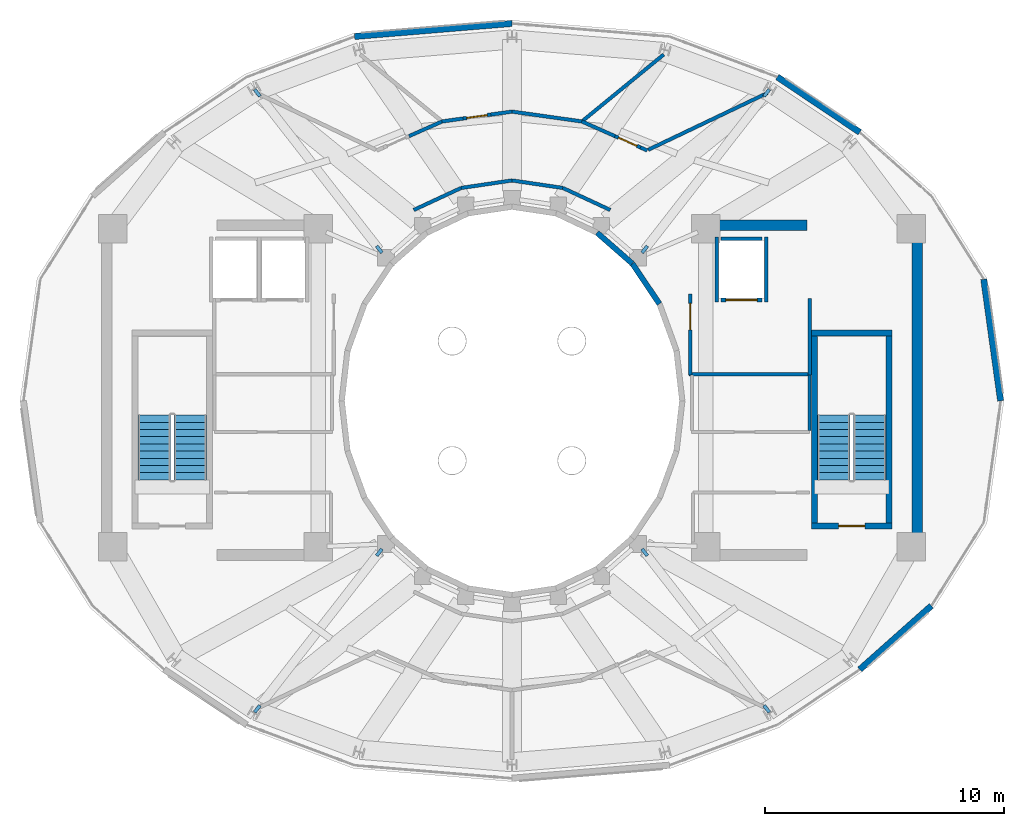
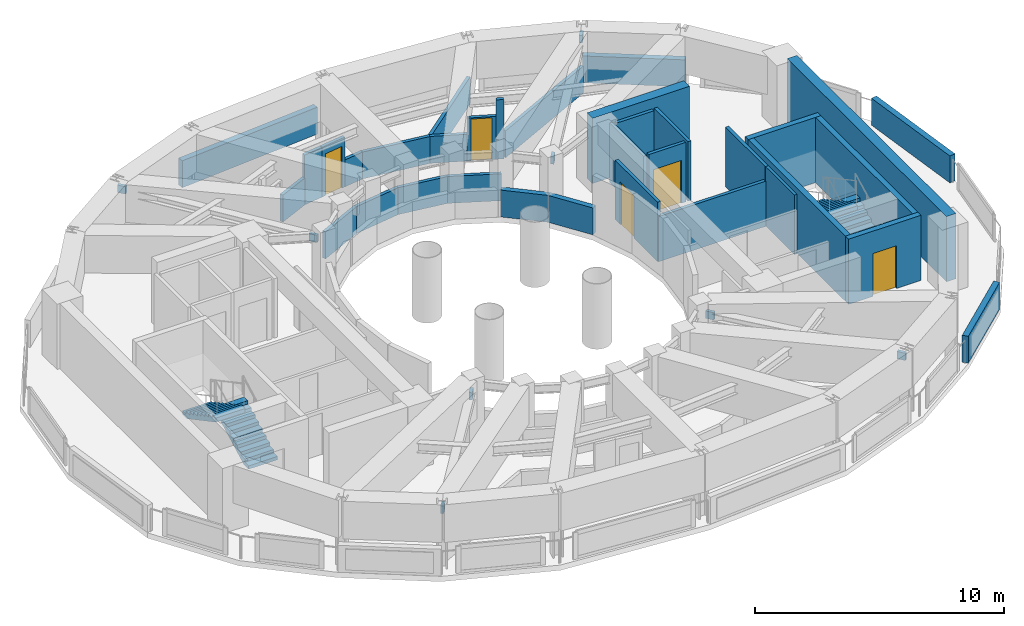
# One storey, part 14 of 17: 34 walls, 8 discrete accessories, 5 doors, 4 stair flights, 5 openings, 2 elements without a shape of their own.
"""IFC4 building model written with IfcOpenShell, lengths in metres."""

from ifc_helpers import new_model, si_unit, direction, frame, frame_2d, origin, origin_2d, place, context, subcontext, project, spatial, polyline, rectangle, outline, extrude, material, layer, layer_set, type_object, element, fill, aggregate, save


model = new_model("IFC4")

# Units and contexts
model_context = context("Model", 3, precision=1e-05, world=origin(), true_north=direction((0.0, 1.0)))
body_context = subcontext(model_context, "Body", "Model", "MODEL_VIEW")
ifc_project = project(units=[si_unit("LENGTHUNIT", "METRE"), si_unit("AREAUNIT", "SQUARE_METRE"), si_unit("VOLUMEUNIT", "CUBIC_METRE"), si_unit("PLANEANGLEUNIT", "RADIAN"), si_unit("MASSUNIT", "GRAM", prefix="KILO")], contexts=[model_context])

# Site, building, storey
site_placement = place(None, origin())
site = spatial("IfcSite", under=ifc_project, at=site_placement, CompositionType="ELEMENT")
building_placement = place(site_placement, origin())
building = spatial("IfcBuilding", under=site, at=building_placement, Name="Solvane Sanctuary Tower", CompositionType="ELEMENT")
storey_placement = place(building_placement, frame((0.0, 0.0, 270.0)))
storey = spatial("IfcBuildingStorey", under=building, at=storey_placement, Name="L82", CompositionType="ELEMENT", Elevation=270.0)

# Walls
ifc_material_1 = material(Name="Concrete C50/60", Category="concrete")
ifc_layer_1 = layer(ifc_material_1, 0.449951171875, Name="Concrete C50/60")
ifc_layer_set_1 = layer_set([ifc_layer_1], Name="Concrete C50/60")
wall_type_1 = type_object("IfcWallType", Name="Wall W-CORE-450", PredefinedType="SHEAR", material=ifc_layer_set_1)
wall_1_placement = place(storey_placement, frame((48.949951171875, 17.050048828125, 0.0), z_axis=(0.0, 0.0, 1.0), x_axis=(0.0, 1.0, 0.0)))
element("IfcWall", 1, at=wall_1_placement, inside=storey, type_object=wall_type_1, Name="L82 Core Shear Wall EC-E", PredefinedType="SHEAR", context=body_context, shape_type="SweptSolid", body=[
    extrude(rectangle(XDim=12.800048828125, YDim=0.449951171875, at=frame_2d((6.39990234375, 0.0))), origin(), (0.0, 0.0, 1.0), 3.199951171875),
])
wall_2_placement = place(storey_placement, frame((39.85009765625, 30.35009765625, 0.0), z_axis=(0.0, 0.0, 1.0), x_axis=(1.0, 0.0, 0.0)))
element("IfcWall", 2, at=wall_2_placement, inside=storey, type_object=wall_type_1, Name="L82 Core Shear Wall EC-N", PredefinedType="SHEAR", context=body_context, shape_type="SweptSolid", body=[
    extrude(rectangle(XDim=4.5, YDim=0.449951171875, at=frame_2d((2.25, 0.0))), origin(), (0.0, 0.0, 1.0), 3.199951171875),
])
ifc_material_2 = material(Name="Acoustic Gypsum Partition Board")
ifc_layer_2 = layer(ifc_material_2, 0.14990234375, Name="Acoustic Gypsum Partition Board")
ifc_layer_set_2 = layer_set([ifc_layer_2], Name="Acoustic Gypsum Partition Board")
wall_type_2 = type_object("IfcWallType", Name="Wall W-CORR-150", PredefinedType="PARTITIONING", material=ifc_layer_set_2)
wall_3_placement = place(storey_placement, frame((39.39990234375, 24.1201171875, 0.0), z_axis=(0.0, 0.0, 1.0), x_axis=(1.0, 0.0, 0.0)))
element("IfcWall", 3, at=wall_3_placement, inside=storey, type_object=wall_type_2, Name="L82 East Firefighting Lobby South Wall", PredefinedType="PARTITIONING", context=body_context, shape_type="SweptSolid", body=[
    extrude(rectangle(XDim=5.080078125, YDim=0.14990234375, at=frame_2d((2.5400390625, 0.0))), origin(), (0.0, 0.0, 1.0), 2.219970703125),
])
wall_4_placement = place(storey_placement, frame((44.449951171875, 24.080078125, 0.0), z_axis=(0.0, 0.0, 1.0), x_axis=(0.0, 1.0, 0.0)))
element("IfcWall", 4, at=wall_4_placement, inside=storey, type_object=wall_type_2, Name="L82 East Firefighting Lobby East Wall", PredefinedType="PARTITIONING", context=body_context, shape_type="SweptSolid", body=[
    extrude(rectangle(XDim=3.199951171875, YDim=0.14990234375, at=frame_2d((1.60009765625, 0.0))), origin(), (0.0, 0.0, 1.0), 2.9150390625),
])

# Wall, opening, door
wall_5_placement = place(storey_placement, frame((39.449951171875, 24.080078125, 0.0), z_axis=(0.0, 0.0, 1.0), x_axis=(0.0, 1.0, 0.0)))
wall_5 = element("IfcWall", 5, at=wall_5_placement, inside=storey, type_object=wall_type_2, Name="L82 East Firefighting Lobby West Wall", PredefinedType="PARTITIONING", context=body_context, shape_type="SweptSolid", body=[
    extrude(rectangle(XDim=3.39990234375, YDim=0.14990234375, at=frame_2d((1.699951171875, 0.0))), origin(), (0.0, 0.0, 1.0), 2.9150390625),
])
opening_1_placement = place(wall_5_placement, frame((1.893798828125, 0.0, 0.0)))
opening_1 = element("IfcOpeningElement", 6, at=opening_1_placement, cuts=wall_5, Name="Opening D-L82-04", PredefinedType="OPENING", context=body_context, shape_type="SweptSolid", body=[
    extrude(rectangle(XDim=1.10009765625, YDim=2.10009765625, at=frame_2d((0.550048828125, 1.050048828125))), frame((0.0, 0.0849609375, 0.0), z_axis=(0.0, -1.0, 0.0), x_axis=(1.0, 0.0, 0.0)), (0.0, 0.0, 1.0), 0.169921875),
])
ifc_material_3 = material(Name="Architectural Stainless Steel 316", Category="steel")
door_type_1 = type_object("IfcDoorType", Name="Door D-FFL", OperationType="NOTDEFINED", PredefinedType="DOOR", material=ifc_material_3)
door_1_placement = place(opening_1_placement, origin())
door_1 = element("IfcDoor", 7, at=door_1_placement, inside=storey, type_object=door_type_1, Name="L82 East Firefighting Lobby Fire Door", OperationType="SINGLE_SWING_LEFT", OverallHeight=2.10009765625, OverallWidth=1.10009765625, PredefinedType="DOOR", context=body_context, shape_type="SweptSolid", body=[
    extrude(rectangle(XDim=1.10009765625, YDim=2.10009765625, at=frame_2d((0.550048828125, 1.050048828125))), frame((0.0, 0.02490234375, 0.0), z_axis=(0.0, -1.0, 0.0), x_axis=(1.0, 0.0, 0.0)), (0.0, 0.0, 1.0), 0.050048828125),
])
fill(opening_1, door_1)

# Walls
wall_6_placement = place(storey_placement, frame((36.110107421875, 30.98486328125, 0.0), z_axis=(0.0, 0.0, 1.0), x_axis=(-0.906943449489, 0.421252393975, 0.0)))
element("IfcWall", 8, at=wall_6_placement, inside=storey, type_object=wall_type_2, Name="L82 Light-Well Corridor Rim Wall N1", PredefinedType="PARTITIONING", context=body_context, shape_type="SweptSolid", body=[
    extrude(rectangle(XDim=2.18603515625, YDim=0.14990234375, at=frame_2d((1.093017578125, 0.0))), origin(), (0.0, 0.0, 1.0), 1.320068359375),
])
for number, where, z_axis, x_axis, name in (
    (9, (34.12744140625, 31.90576171875, 0.0), (0.0, 0.0, 1.0), (-0.989268584896, 0.146108408166, 0.0), "L82 Light-Well Corridor Rim Wall N2"),
    (10, (32.0, 32.219970703125, 0.0), (0.0, 0.0, 1.0), (-0.989268584896, -0.146108408166, 0.0), "L82 Light-Well Corridor Rim Wall N3"),
):
    element("IfcWall", number, at=place(storey_placement, frame(where, z_axis=z_axis, x_axis=x_axis)), inside=storey, type_object=wall_type_2, Name=name, PredefinedType="PARTITIONING", context=body_context, shape_type="SweptSolid", body=[
        extrude(rectangle(XDim=2.150634765625, YDim=0.14990234375, at=frame_2d((1.0751953125, 0.0))), origin(), (0.0, 0.0, 1.0), 1.320068359375),
    ])
wall_7_placement = place(storey_placement, frame((29.87255859375, 31.90576171875, 0.0), z_axis=(0.0, 0.0, 1.0), x_axis=(-0.906943449489, -0.421252393975, 0.0)))
element("IfcWall", 11, at=wall_7_placement, inside=storey, type_object=wall_type_2, Name="L82 Light-Well Corridor Rim Wall N4", PredefinedType="PARTITIONING", context=body_context, shape_type="SweptSolid", body=[
    extrude(rectangle(XDim=2.18603515625, YDim=0.14990234375, at=frame_2d((1.093017578125, 0.0))), origin(), (0.0, 0.0, 1.0), 1.320068359375),
])
wall_8_placement = place(storey_placement, frame((37.69970703125, 33.502685546875, 0.0), z_axis=(0.0, 0.0, 1.0), x_axis=(0.902738701359, 0.430189303758, 0.0)))
element("IfcWall", 12, at=wall_8_placement, inside=storey, type_object=wall_type_2, Name="L82 Mechanical Plant Radial Wall 060", PredefinedType="PARTITIONING", context=body_context, shape_type="SweptSolid", body=[
    extrude(rectangle(XDim=5.521484375, YDim=0.14990234375, at=frame_2d((2.7607421875, 0.0))), origin(), (0.0, 0.0, 1.0), 1.320068359375),
])
wall_9_placement = place(storey_placement, frame((34.96728515625, 34.722412109375, 0.0), z_axis=(0.0, 0.0, 1.0), x_axis=(0.773855163252, 0.633362602549, 0.0)))
element("IfcWall", 13, at=wall_9_placement, inside=storey, type_object=wall_type_2, Name="L82 Mechanical Plant Radial Wall 075", PredefinedType="PARTITIONING", context=body_context, shape_type="SweptSolid", body=[
    extrude(rectangle(XDim=4.366943359375, YDim=0.14990234375, at=frame_2d((2.18359375, 0.0))), origin(), (0.0, 0.0, 1.0), 1.320068359375),
])
wall_10_placement = place(storey_placement, frame((37.65673828125, 33.474609375, 0.0), z_axis=(0.0, 0.0, 1.0), x_axis=(-0.914008261485, 0.405695572983, 0.0)))
element("IfcWall", 14, at=wall_10_placement, inside=storey, type_object=wall_type_2, Name="L82 Plant Corridor Wall 1", PredefinedType="PARTITIONING", context=body_context, shape_type="SweptSolid", body=[
    extrude(rectangle(XDim=0.306884765625, YDim=0.14990234375, at=frame_2d((0.1533203125, 0.0))), origin(), (0.0, 0.0, 1.0), 2.9150390625),
])

# Wall, opening, door
wall_11_placement = place(storey_placement, frame((37.376220703125, 33.59912109375, 0.0), z_axis=(0.0, 0.0, 1.0), x_axis=(-0.91409532601, 0.40549936494, 0.0)))
wall_11 = element("IfcWall", 15, at=wall_11_placement, inside=storey, type_object=wall_type_2, Name="L82 Plant Corridor Wall 1", PredefinedType="PARTITIONING", context=body_context, shape_type="SweptSolid", body=[
    extrude(rectangle(XDim=1.169921875, YDim=0.14990234375, at=frame_2d((0.5849609375, 0.0))), origin(), (0.0, 0.0, 1.0), 2.110107421875),
])
opening_2_placement = place(wall_11_placement, frame((0.159912109375, 0.0, 0.0)))
opening_2 = element("IfcOpeningElement", 16, at=opening_2_placement, cuts=wall_11, Name="Opening D-L82-09", PredefinedType="OPENING", context=body_context, shape_type="SweptSolid", body=[
    extrude(rectangle(XDim=0.85009765625, YDim=2.050048828125, at=frame_2d((0.425048828125, 1.02490234375))), frame((0.0, 0.0849609375, 0.0), z_axis=(0.0, -1.0, 0.0), x_axis=(1.0, 0.0, 0.0)), (0.0, 0.0, 1.0), 0.169921875),
])
door_type_2 = type_object("IfcDoorType", Name="Door D-RISER", OperationType="NOTDEFINED", PredefinedType="DOOR", material=ifc_material_3)
door_2_placement = place(opening_2_placement, origin())
door_2 = element("IfcDoor", 17, at=door_2_placement, inside=storey, type_object=door_type_2, Name="L82 Plant Room Door 1", OperationType="SINGLE_SWING_RIGHT", OverallHeight=2.050048828125, OverallWidth=0.85009765625, PredefinedType="DOOR", context=body_context, shape_type="SweptSolid", body=[
    extrude(rectangle(XDim=0.85009765625, YDim=2.050048828125, at=frame_2d((0.425048828125, 1.02490234375))), frame((0.0, 0.02490234375, 0.0), z_axis=(0.0, -1.0, 0.0), x_axis=(1.0, 0.0, 0.0)), (0.0, 0.0, 1.0), 0.050048828125),
])
fill(opening_2, door_2)

# Walls
wall_12_placement = place(storey_placement, frame((36.306884765625, 34.073486328125, 0.0), z_axis=(0.0, 0.0, 1.0), x_axis=(-0.914122487323, 0.405438131124, 0.0)))
element("IfcWall", 18, at=wall_12_placement, inside=storey, type_object=wall_type_2, Name="L82 Plant Corridor Wall 1", PredefinedType="PARTITIONING", context=body_context, shape_type="SweptSolid", body=[
    extrude(rectangle(XDim=1.5205078125, YDim=0.14990234375, at=frame_2d((0.76025390625, 0.0))), origin(), (0.0, 0.0, 1.0), 1.320068359375),
])
wall_13_placement = place(storey_placement, frame((34.932373046875, 34.685546875, 0.0), z_axis=(0.0, 0.0, 1.0), x_axis=(-0.990167445312, 0.139887205436, 0.0)))
element("IfcWall", 19, at=wall_13_placement, inside=storey, type_object=wall_type_2, Name="L82 Plant Corridor Wall 2", PredefinedType="PARTITIONING", context=body_context, shape_type="SweptSolid", body=[
    extrude(rectangle(XDim=2.96337890625, YDim=0.14990234375, at=frame_2d((1.481689453125, 0.0))), origin(), (0.0, 0.0, 1.0), 1.320068359375),
])
wall_14_placement = place(storey_placement, frame((32.001953125, 35.10009765625, 0.0), z_axis=(0.0, 0.0, 1.0), x_axis=(-0.990160729968, -0.139934730603, 0.0)))
element("IfcWall", 20, at=wall_14_placement, inside=storey, type_object=wall_type_2, Name="L82 Plant Corridor Wall 2", PredefinedType="PARTITIONING", context=body_context, shape_type="SweptSolid", body=[
    extrude(rectangle(XDim=0.896728515625, YDim=0.14990234375, at=frame_2d((0.4482421875, 0.0))), origin(), (0.0, 0.0, 1.0), 1.320068359375),
])

# Wall, opening, door
wall_15_placement = place(storey_placement, frame((31.114013671875, 34.974609375, 0.0), z_axis=(0.0, 0.0, 1.0), x_axis=(-0.990148825647, -0.140018938253, 0.0)))
wall_15 = element("IfcWall", 21, at=wall_15_placement, inside=storey, type_object=wall_type_2, Name="L82 Plant Corridor Wall 2", PredefinedType="PARTITIONING", context=body_context, shape_type="SweptSolid", body=[
    extrude(rectangle(XDim=1.169921875, YDim=0.14990234375, at=frame_2d((0.5849609375, 0.0))), origin(), (0.0, 0.0, 1.0), 2.445068359375),
])
opening_3_placement = place(wall_15_placement, frame((0.159912109375, 0.0, 0.0)))
opening_3 = element("IfcOpeningElement", 22, at=opening_3_placement, cuts=wall_15, Name="Opening D-L82-10", PredefinedType="OPENING", context=body_context, shape_type="SweptSolid", body=[
    extrude(rectangle(XDim=0.85009765625, YDim=2.050048828125, at=frame_2d((0.425048828125, 1.02490234375))), frame((0.0, 0.0849609375, 0.0), z_axis=(0.0, -1.0, 0.0), x_axis=(1.0, 0.0, 0.0)), (0.0, 0.0, 1.0), 0.169921875),
])
door_3_placement = place(opening_3_placement, origin())
door_3 = element("IfcDoor", 23, at=door_3_placement, inside=storey, type_object=door_type_2, Name="L82 Plant Room Door 2", OperationType="SINGLE_SWING_LEFT", OverallHeight=2.050048828125, OverallWidth=0.85009765625, PredefinedType="DOOR", context=body_context, shape_type="SweptSolid", body=[
    extrude(rectangle(XDim=0.85009765625, YDim=2.050048828125, at=frame_2d((0.425048828125, 1.02490234375))), frame((0.0, 0.02490234375, 0.0), z_axis=(0.0, -1.0, 0.0), x_axis=(1.0, 0.0, 0.0)), (0.0, 0.0, 1.0), 0.050048828125),
])
fill(opening_3, door_3)

# Walls
wall_16_placement = place(storey_placement, frame((29.95556640625, 34.810791015625, 0.0), z_axis=(0.0, 0.0, 1.0), x_axis=(-0.99019841733, -0.13966779986, 0.0)))
element("IfcWall", 24, at=wall_16_placement, inside=storey, type_object=wall_type_2, Name="L82 Plant Corridor Wall 2", PredefinedType="PARTITIONING", context=body_context, shape_type="SweptSolid", body=[
    extrude(rectangle(XDim=0.896728515625, YDim=0.14990234375, at=frame_2d((0.4482421875, 0.0))), origin(), (0.0, 0.0, 1.0), 2.445068359375),
])
wall_17_placement = place(storey_placement, frame((29.0830078125, 34.68994140625, 0.0), z_axis=(0.0, 0.0, 1.0), x_axis=(-0.914122487323, -0.405438131124, 0.0)))
element("IfcWall", 25, at=wall_17_placement, inside=storey, type_object=wall_type_2, Name="L82 Plant Corridor Wall 3", PredefinedType="PARTITIONING", context=body_context, shape_type="SweptSolid", body=[
    extrude(rectangle(XDim=1.5205078125, YDim=0.14990234375, at=frame_2d((0.76025390625, 0.0))), origin(), (0.0, 0.0, 1.0), 1.320068359375),
])
ifc_material_4 = material(Name="Precast concrete C40/50", Category="concrete")
ifc_layer_3 = layer(ifc_material_4, 0.260009765625, Name="Precast concrete C40/50")
ifc_layer_set_3 = layer_set([ifc_layer_3], Name="Precast concrete C40/50")
wall_type_3 = type_object("IfcWallType", Name="Wall W-EXT-250", PredefinedType="STANDARD", material=ifc_layer_set_3)
wall_18_placement = place(storey_placement, frame((52.43994140625, 23.0, 0.0), z_axis=(0.0, 0.0, 1.0), x_axis=(-0.137493224046, 0.990502707387, 0.0)))
element("IfcWall", 26, at=wall_18_placement, inside=storey, type_object=wall_type_3, Name="L82 Crown Acoustic Louvred Wall 00", PredefinedType="STANDARD", context=body_context, shape_type="SweptSolid", body=[
    extrude(rectangle(XDim=5.13525390625, YDim=0.260009765625, at=frame_2d((2.567626953125, 0.0))), origin(), (0.0, 0.0, 1.0), 1.320068359375),
])
wall_19_placement = place(storey_placement, frame((46.547119140625, 34.235595703125, 0.0), z_axis=(0.0, 0.0, 1.0), x_axis=(-0.830427497225, 0.55712671077, 0.0)))
element("IfcWall", 27, at=wall_19_placement, inside=storey, type_object=wall_type_3, Name="L82 Crown Acoustic Louvred Wall 03", PredefinedType="STANDARD", context=body_context, shape_type="SweptSolid", body=[
    extrude(rectangle(XDim=4.152099609375, YDim=0.260009765625, at=frame_2d((2.076171875, 0.0))), origin(), (0.0, 0.0, 1.0), 1.320068359375),
])
wall_20_placement = place(storey_placement, frame((32.0, 38.787109375, 0.0), z_axis=(0.0, 0.0, 1.0), x_axis=(-0.996584886337, -0.082574598538, 0.0)))
element("IfcWall", 28, at=wall_20_placement, inside=storey, type_object=wall_type_3, Name="L82 Crown Acoustic Louvred Wall 06", PredefinedType="STANDARD", context=body_context, shape_type="SweptSolid", body=[
    extrude(rectangle(XDim=6.60791015625, YDim=0.260009765625, at=frame_2d((3.303955078125, 0.0))), origin(), (0.0, 0.0, 1.0), 1.320068359375),
])
wall_21_placement = place(storey_placement, frame((46.547119140625, 11.764404296875, 0.0), z_axis=(0.0, 0.0, 1.0), x_axis=(0.747315206756, 0.664469699649, 0.0)))
element("IfcWall", 29, at=wall_21_placement, inside=storey, type_object=wall_type_3, Name="L82 Crown Acoustic Louvred Wall 21", PredefinedType="STANDARD", context=body_context, shape_type="SweptSolid", body=[
    extrude(rectangle(XDim=4.0078125, YDim=0.260009765625, at=frame_2d((2.00390625, 0.0))), origin(), (0.0, 0.0, 1.0), 1.320068359375),
])
ifc_layer_4 = layer(ifc_material_4, 0.22998046875, Name="Precast concrete C40/50")
ifc_layer_set_4 = layer_set([ifc_layer_4], Name="Precast concrete C40/50")
wall_type_4 = type_object("IfcWallType", Name="Wall W-EXT-SP220", PredefinedType="STANDARD", material=ifc_layer_set_4)
wall_22_placement = place(storey_placement, frame((38.166015625, 27.06005859375, 0.0), z_axis=(0.0, 0.0, 1.0), x_axis=(-0.558197800898, 0.829707909492, 0.0)))
element("IfcWall", 30, at=wall_22_placement, inside=storey, type_object=wall_type_4, Name="L82 Central Light-Well Wall 02", PredefinedType="STANDARD", context=body_context, shape_type="SweptSolid", body=[
    extrude(rectangle(XDim=2.02685546875, YDim=0.22998046875, at=frame_2d((1.013427734375, 0.0))), origin(), (0.0, 0.0, 1.0), 1.320068359375),
])
wall_23_placement = place(storey_placement, frame((37.03466796875, 28.74169921875, 0.0), z_axis=(0.0, 0.0, 1.0), x_axis=(-0.752576694707, 0.658504607869, 0.0)))
element("IfcWall", 31, at=wall_23_placement, inside=storey, type_object=wall_type_4, Name="L82 Central Light-Well Wall 03", PredefinedType="STANDARD", context=body_context, shape_type="SweptSolid", body=[
    extrude(rectangle(XDim=1.95947265625, YDim=0.22998046875, at=frame_2d((0.979736328125, 0.0))), origin(), (0.0, 0.0, 1.0), 1.320068359375),
])
ifc_layer_5 = layer(ifc_material_2, 0.125, Name="Acoustic Gypsum Partition Board")
ifc_layer_set_5 = layer_set([ifc_layer_5], Name="Acoustic Gypsum Partition Board")
wall_type_5 = type_object("IfcWallType", Name="Wall W-PART-125", PredefinedType="PARTITIONING", material=ifc_layer_set_5)
wall_24_placement = place(storey_placement, frame((44.449951171875, 21.760009765625, 0.0), z_axis=(0.0, 0.0, 1.0), x_axis=(0.0, 1.0, 0.0)))
element("IfcWall", 32, at=wall_24_placement, inside=storey, type_object=wall_type_5, Name="L82 Reclaimed Room Closer Wall PME-2", PredefinedType="PARTITIONING", context=body_context, shape_type="SweptSolid", body=[
    extrude(rectangle(XDim=2.320068359375, YDim=0.125, at=frame_2d((1.16015625, 0.0))), origin(), (0.0, 0.0, 1.0), 2.9150390625),
])

# Wall, opening, door
ifc_layer_6 = layer(ifc_material_1, 0.14990234375, Name="Concrete C50/60")
ifc_layer_set_6 = layer_set([ifc_layer_6], Name="Concrete C50/60")
wall_type_6 = type_object("IfcWallType", Name="Wall W-SHAFT-150", PredefinedType="SOLIDWALL", material=ifc_layer_set_6)
wall_25_placement = place(storey_placement, frame((40.739990234375, 27.219970703125, 0.0), z_axis=(0.0, 0.0, 1.0), x_axis=(1.0, 0.0, 0.0)))
wall_25 = element("IfcWall", 33, at=wall_25_placement, inside=storey, type_object=wall_type_6, Name="L82 FFL-2 Lift Shaft Wall F", PredefinedType="SOLIDWALL", context=body_context, shape_type="SweptSolid", body=[
    extrude(rectangle(XDim=1.719970703125, YDim=0.14990234375, at=frame_2d((0.85986328125, 0.0))), origin(), (0.0, 0.0, 1.0), 2.9150390625),
])
opening_4_placement = place(wall_25_placement, frame((0.2099609375, 0.0, 0.0)))
opening_4 = element("IfcOpeningElement", 34, at=opening_4_placement, cuts=wall_25, Name="Opening LD-L82-03", PredefinedType="OPENING", context=body_context, shape_type="SweptSolid", body=[
    extrude(rectangle(XDim=1.300048828125, YDim=2.10009765625, at=frame_2d((0.64990234375, 1.050048828125))), frame((0.0, 0.0849609375, 0.0), z_axis=(0.0, -1.0, 0.0), x_axis=(1.0, 0.0, 0.0)), (0.0, 0.0, 1.0), 0.169921875),
])
door_type_3 = type_object("IfcDoorType", Name="Door LD-FFL-1300", OperationType="NOTDEFINED", PredefinedType="DOOR", material=ifc_material_3)
door_4_placement = place(opening_4_placement, origin())
door_4 = element("IfcDoor", 35, at=door_4_placement, inside=storey, type_object=door_type_3, Name="L82 FFL-2 Lift Landing Door", OperationType="DOUBLE_DOOR_SLIDING", OverallHeight=2.10009765625, OverallWidth=1.300048828125, PredefinedType="DOOR", context=body_context, shape_type="SweptSolid", body=[
    extrude(rectangle(XDim=1.300048828125, YDim=2.10009765625, at=frame_2d((0.64990234375, 1.050048828125))), frame((0.0, 0.02490234375, 0.0), z_axis=(0.0, -1.0, 0.0), x_axis=(1.0, 0.0, 0.0)), (0.0, 0.0, 1.0), 0.050048828125),
])
fill(opening_4, door_4)

# Walls
wall_26_placement = place(storey_placement, frame((40.739990234375, 29.780029296875, 0.0), z_axis=(0.0, 0.0, 1.0), x_axis=(1.0, 0.0, 0.0)))
element("IfcWall", 36, at=wall_26_placement, inside=storey, type_object=wall_type_6, Name="L82 FFL-2 Lift Shaft Wall B", PredefinedType="SOLIDWALL", context=body_context, shape_type="SweptSolid", body=[
    extrude(rectangle(XDim=1.719970703125, YDim=0.14990234375, at=frame_2d((0.85986328125, 0.0))), origin(), (0.0, 0.0, 1.0), 2.9150390625),
])
for number, where, z_axis, x_axis, name in (
    (37, (40.570068359375, 27.139892578125, 0.0), (0.0, 0.0, 1.0), (0.0, 1.0, 0.0), "L82 FFL-2 Lift Shaft Wall S1"),
    (38, (42.6298828125, 27.139892578125, 0.0), (0.0, 0.0, 1.0), (0.0, 1.0, 0.0), "L82 FFL-2 Lift Shaft Wall S2"),
):
    element("IfcWall", number, at=place(storey_placement, frame(where, z_axis=z_axis, x_axis=x_axis)), inside=storey, type_object=wall_type_6, Name=name, PredefinedType="SOLIDWALL", context=body_context, shape_type="SweptSolid", body=[
        extrude(rectangle(XDim=2.72021484375, YDim=0.14990234375, at=frame_2d((1.360107421875, 0.0))), origin(), (0.0, 0.0, 1.0), 2.9150390625),
    ])

# Wall, opening, door
ifc_layer_7 = layer(ifc_material_1, 0.25, Name="Concrete C50/60")
ifc_layer_set_7 = layer_set([ifc_layer_7], Name="Concrete C50/60")
wall_type_7 = type_object("IfcWallType", Name="Wall W-SHAFT-250", PredefinedType="SOLIDWALL", material=ifc_layer_set_7)
wall_27_placement = place(storey_placement, frame((44.52490234375, 17.77001953125, 0.0), z_axis=(0.0, 0.0, 1.0), x_axis=(1.0, 0.0, 0.0)))
wall_27 = element("IfcWall", 39, at=wall_27_placement, inside=storey, type_object=wall_type_7, Name="L82 ST-2 Load-Bearing Shaft Wall S", PredefinedType="SOLIDWALL", context=body_context, shape_type="SweptSolid", body=[
    extrude(rectangle(XDim=3.3701171875, YDim=0.25, at=frame_2d((1.68505859375, 0.0))), origin(), (0.0, 0.0, 1.0), 3.199951171875),
])
opening_5_placement = place(wall_27_placement, frame((1.135009765625, 0.0, 0.0)))
opening_5 = element("IfcOpeningElement", 40, at=opening_5_placement, cuts=wall_27, Name="Opening D-L82-02", PredefinedType="OPENING", context=body_context, shape_type="SweptSolid", body=[
    extrude(rectangle(XDim=1.10009765625, YDim=2.10009765625, at=frame_2d((0.550048828125, 1.050048828125))), frame((0.0, 0.135009765625, 0.0), z_axis=(0.0, -1.0, 0.0), x_axis=(1.0, 0.0, 0.0)), (0.0, 0.0, 1.0), 0.27001953125),
])
door_type_4 = type_object("IfcDoorType", Name="Door D-STAIR", OperationType="NOTDEFINED", PredefinedType="DOOR", material=ifc_material_3)
door_5_placement = place(opening_5_placement, origin())
door_5 = element("IfcDoor", 41, at=door_5_placement, inside=storey, type_object=door_type_4, Name="L82 ST-2 Exit Stair Fire Door", OperationType="SINGLE_SWING_RIGHT", OverallHeight=2.10009765625, OverallWidth=1.10009765625, PredefinedType="DOOR", context=body_context, shape_type="SweptSolid", body=[
    extrude(rectangle(XDim=1.10009765625, YDim=2.10009765625, at=frame_2d((0.550048828125, 1.050048828125))), frame((0.0, 0.02490234375, 0.0), z_axis=(0.0, -1.0, 0.0), x_axis=(1.0, 0.0, 0.0)), (0.0, 0.0, 1.0), 0.050048828125),
])
fill(opening_5, door_5)

# Walls
wall_28_placement = place(storey_placement, frame((44.52490234375, 25.830078125, 0.0), z_axis=(0.0, 0.0, 1.0), x_axis=(1.0, 0.0, 0.0)))
element("IfcWall", 42, at=wall_28_placement, inside=storey, type_object=wall_type_7, Name="L82 ST-2 Load-Bearing Shaft Wall N", PredefinedType="SOLIDWALL", context=body_context, shape_type="SweptSolid", body=[
    extrude(rectangle(XDim=3.3701171875, YDim=0.25, at=frame_2d((1.68505859375, 0.0))), origin(), (0.0, 0.0, 1.0), 3.199951171875),
])
for number, where, z_axis, x_axis, name in (
    (43, (44.64990234375, 17.89501953125, 0.0), (0.0, 0.0, 1.0), (0.0, 1.0, 0.0), "L82 ST-2 Load-Bearing Shaft Wall W"),
    (44, (47.77001953125, 17.89501953125, 0.0), (0.0, 0.0, 1.0), (0.0, 1.0, 0.0), "L82 ST-2 Load-Bearing Shaft Wall E"),
):
    element("IfcWall", number, at=place(storey_placement, frame(where, z_axis=z_axis, x_axis=x_axis)), inside=storey, type_object=wall_type_7, Name=name, PredefinedType="SOLIDWALL", context=body_context, shape_type="SweptSolid", body=[
        extrude(rectangle(XDim=7.81005859375, YDim=0.25, at=frame_2d((3.905029296875, 0.0))), origin(), (0.0, 0.0, 1.0), 3.199951171875),
    ])

# Stair, stair flights
ifc_material_5 = material(Name="Concrete C45/55", Category="concrete")
stair_type = type_object("IfcStairType", Name="Stair ST-TOW", PredefinedType="HALF_TURN_STAIR", material=ifc_material_5)
stair_1_placement = place(storey_placement, origin())
stair_1 = element("IfcStair", 45, at=stair_1_placement, inside=storey, type_object=stair_type, Name="L82 Exit Stair ST-1 West Core", PredefinedType="HALF_TURN_STAIR")
stair_flight_type = type_object("IfcStairFlightType", Name="StairFlight SF-TOW", PredefinedType="STRAIGHT", material=ifc_material_5)
stair_flight_1_placement = place(storey_placement, frame((18.544921875, 19.699951171875, 0.0), z_axis=(0.0, 0.0, 1.0), x_axis=(0.0, 1.0, 0.0)))
stair_flight_1 = element("IfcStairFlight", 46, at=stair_flight_1_placement, type_object=stair_flight_type, Name="ST-1 flight 1", NumberOfRisers=10, NumberOfTreads=9, PredefinedType="STRAIGHT", RiserHeight=0.16, TreadLength=0.3, context=body_context, shape_type="SweptSolid", body=[
    extrude(outline(polyline([(0.0, 0.0), (0.0, 0.159912109375), (0.300048828125, 0.159912109375), (0.300048828125, 0.320068359375), (0.60009765625, 0.320068359375), (0.60009765625, 0.47998046875), (0.89990234375, 0.47998046875), (0.89990234375, 0.639892578125), (1.199951171875, 0.639892578125), (1.199951171875, 0.800048828125), (1.5, 0.800048828125), (1.5, 0.9599609375), (1.800048828125, 0.9599609375), (1.800048828125, 1.1201171875), (2.10009765625, 1.1201171875), (2.10009765625, 1.280029296875), (2.39990234375, 1.280029296875), (2.39990234375, 1.43994140625), (2.699951171875, 1.43994140625), (2.699951171875, 1.60009765625), (2.699951171875, 1.236083984375), (0.38232421875, 0.0), (0.0, 0.0)])), frame((0.0, 0.675048828125, 0.0), z_axis=(0.0, -1.0, 0.0), x_axis=(1.0, 0.0, 0.0)), (0.0, 0.0, 1.0), 1.35009765625),
])
stair_flight_2_placement = place(storey_placement, frame((17.034912109375, 22.39990234375, 1.60009765625), z_axis=(0.0, 0.0, 1.0), x_axis=(0.0, -1.0, 0.0)))
stair_flight_2 = element("IfcStairFlight", 47, at=stair_flight_2_placement, type_object=stair_flight_type, Name="ST-1 flight 2", NumberOfRisers=10, NumberOfTreads=9, PredefinedType="STRAIGHT", RiserHeight=0.16, TreadLength=0.3, context=body_context, shape_type="SweptSolid", body=[
    extrude(outline(polyline([(0.0, 0.0), (0.0, 0.159912109375), (0.300048828125, 0.159912109375), (0.300048828125, 0.320068359375), (0.60009765625, 0.320068359375), (0.60009765625, 0.47998046875), (0.89990234375, 0.47998046875), (0.89990234375, 0.639892578125), (1.199951171875, 0.639892578125), (1.199951171875, 0.800048828125), (1.5, 0.800048828125), (1.5, 0.9599609375), (1.800048828125, 0.9599609375), (1.800048828125, 1.1201171875), (2.10009765625, 1.1201171875), (2.10009765625, 1.280029296875), (2.39990234375, 1.280029296875), (2.39990234375, 1.43994140625), (2.699951171875, 1.43994140625), (2.699951171875, 1.60009765625), (2.699951171875, 1.236083984375), (0.38232421875, 0.0), (0.0, 0.0)])), frame((0.0, 0.675048828125, 0.0), z_axis=(0.0, -1.0, 0.0), x_axis=(1.0, 0.0, 0.0)), (0.0, 0.0, 1.0), 1.35009765625),
])
aggregate(stair_1, [stair_flight_1, stair_flight_2])

stair_2_placement = place(storey_placement, origin())
stair_2 = element("IfcStair", 48, at=stair_2_placement, inside=storey, type_object=stair_type, Name="L82 Exit Stair ST-2 East Core", PredefinedType="HALF_TURN_STAIR")
stair_flight_3_placement = place(storey_placement, frame((46.965087890625, 19.699951171875, 0.0), z_axis=(0.0, 0.0, 1.0), x_axis=(0.0, 1.0, 0.0)))
stair_flight_3 = element("IfcStairFlight", 49, at=stair_flight_3_placement, type_object=stair_flight_type, Name="ST-2 flight 1", NumberOfRisers=10, NumberOfTreads=9, PredefinedType="STRAIGHT", RiserHeight=0.16, TreadLength=0.3, context=body_context, shape_type="SweptSolid", body=[
    extrude(outline(polyline([(0.0, 0.0), (0.0, 0.159912109375), (0.300048828125, 0.159912109375), (0.300048828125, 0.320068359375), (0.60009765625, 0.320068359375), (0.60009765625, 0.47998046875), (0.89990234375, 0.47998046875), (0.89990234375, 0.639892578125), (1.199951171875, 0.639892578125), (1.199951171875, 0.800048828125), (1.5, 0.800048828125), (1.5, 0.9599609375), (1.800048828125, 0.9599609375), (1.800048828125, 1.1201171875), (2.10009765625, 1.1201171875), (2.10009765625, 1.280029296875), (2.39990234375, 1.280029296875), (2.39990234375, 1.43994140625), (2.699951171875, 1.43994140625), (2.699951171875, 1.60009765625), (2.699951171875, 1.236083984375), (0.38232421875, 0.0), (0.0, 0.0)])), frame((0.0, 0.675048828125, 0.0), z_axis=(0.0, -1.0, 0.0), x_axis=(1.0, 0.0, 0.0)), (0.0, 0.0, 1.0), 1.35009765625),
])
stair_flight_4_placement = place(storey_placement, frame((45.455078125, 22.39990234375, 1.60009765625), z_axis=(0.0, 0.0, 1.0), x_axis=(0.0, -1.0, 0.0)))
stair_flight_4 = element("IfcStairFlight", 50, at=stair_flight_4_placement, type_object=stair_flight_type, Name="ST-2 flight 2", NumberOfRisers=10, NumberOfTreads=9, PredefinedType="STRAIGHT", RiserHeight=0.16, TreadLength=0.3, context=body_context, shape_type="SweptSolid", body=[
    extrude(outline(polyline([(0.0, 0.0), (0.0, 0.159912109375), (0.300048828125, 0.159912109375), (0.300048828125, 0.320068359375), (0.60009765625, 0.320068359375), (0.60009765625, 0.47998046875), (0.89990234375, 0.47998046875), (0.89990234375, 0.639892578125), (1.199951171875, 0.639892578125), (1.199951171875, 0.800048828125), (1.5, 0.800048828125), (1.5, 0.9599609375), (1.800048828125, 0.9599609375), (1.800048828125, 1.1201171875), (2.10009765625, 1.1201171875), (2.10009765625, 1.280029296875), (2.39990234375, 1.280029296875), (2.39990234375, 1.43994140625), (2.699951171875, 1.43994140625), (2.699951171875, 1.60009765625), (2.699951171875, 1.236083984375), (0.38232421875, 0.0), (0.0, 0.0)])), frame((0.0, 0.675048828125, 0.0), z_axis=(0.0, -1.0, 0.0), x_axis=(1.0, 0.0, 0.0)), (0.0, 0.0, 1.0), 1.35009765625),
])
aggregate(stair_2, [stair_flight_3, stair_flight_4])

# Discrete accessories
ifc_material_6 = material(Name="Steel ASTM A572 Grade 50", Category="steel")
ifc_layer_8 = layer(ifc_material_6, 0.360107421875, Name="Steel ASTM A572 Grade 50")
ifc_layer_set_8 = layer_set([ifc_layer_8], Name="Steel ASTM A572 Grade 50")
discrete_accessory_type = type_object("IfcDiscreteAccessoryType", Name="Accessory ACC-GUSSET-BRK", PredefinedType="BRACKET", material=ifc_layer_set_8)
for number, where, z_axis, x_axis, name in (
    (51, (37.55078125, 29.3359375, 2.3603515625), (0.0, 0.0, 1.0), (0.614698279336, 0.788762337705, 0.0), "L82 Crown Bracing Tie 01 End Gusset Bracket A"),
    (52, (42.6533203125, 35.883056640625, 2.55517578125), (0.0, 0.0, 1.0), (0.614698279336, 0.788762337705, 0.0), "L82 Crown Bracing Tie 01 End Gusset Bracket B"),
    (53, (26.44921875, 29.3359375, 2.3603515625), (0.0, 0.0, 1.0), (-0.614698279336, 0.788762337705, 0.0), "L82 Crown Bracing Tie 07 End Gusset Bracket A"),
    (54, (21.3466796875, 35.883056640625, 2.55517578125), (0.0, 0.0, 1.0), (-0.614698279336, 0.788762337705, 0.0), "L82 Crown Bracing Tie 07 End Gusset Bracket B"),
    (55, (26.44921875, 16.6640625, 2.3603515625), (0.0, 0.0, 1.0), (-0.614698279336, -0.788762337705, 0.0), "L82 Crown Bracing Tie 08 End Gusset Bracket A"),
    (56, (21.3466796875, 10.116943359375, 2.55517578125), (0.0, 0.0, 1.0), (-0.614698279336, -0.788762337705, 0.0), "L82 Crown Bracing Tie 08 End Gusset Bracket B"),
    (57, (37.55078125, 16.6640625, 2.3603515625), (0.0, 0.0, 1.0), (0.614698279336, -0.788762337705, 0.0), "L82 Crown Bracing Tie 14 End Gusset Bracket A"),
    (58, (42.6533203125, 10.116943359375, 2.55517578125), (0.0, 0.0, 1.0), (0.614698279336, -0.788762337705, 0.0), "L82 Crown Bracing Tie 14 End Gusset Bracket B"),
):
    element("IfcDiscreteAccessory", number, at=place(storey_placement, frame(where, z_axis=z_axis, x_axis=x_axis)), inside=storey, type_object=discrete_accessory_type, Name=name, PredefinedType="BRACKET", context=body_context, shape_type="SweptSolid", body=[
        extrude(rectangle(XDim=0.360107421875, YDim=0.139892578125, at=origin_2d()), origin(), (0.0, 0.0, 1.0), 0.360107421875),
    ])

save(model, "model.ifc")
